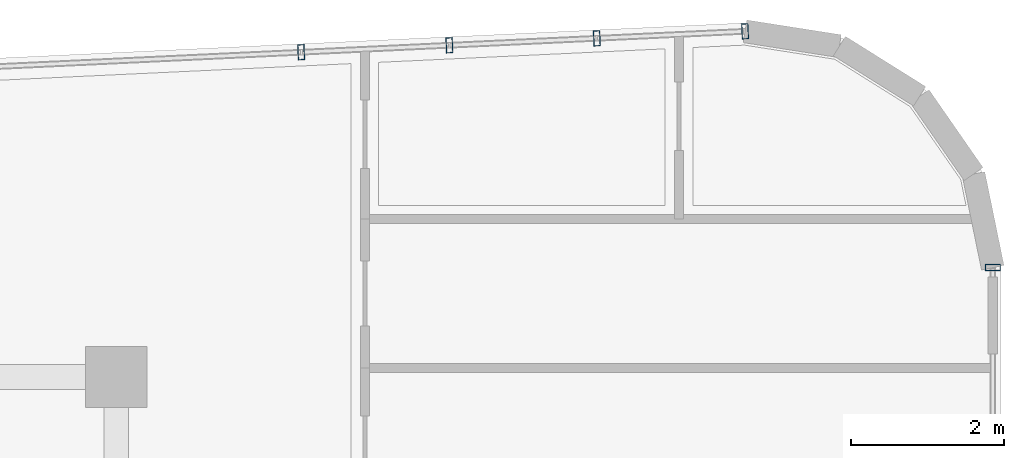
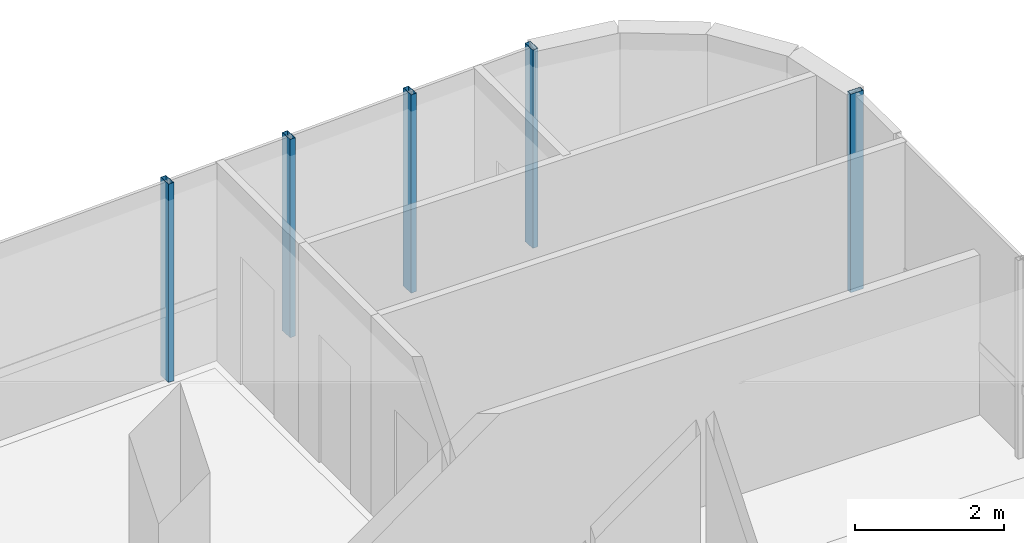
# One storey, part 12 of 19: 5 members, 2 elements without a shape of their own.
"""IFC4 building model written with IfcOpenShell, lengths in metres."""

from ifc_helpers import new_model, si_unit, direction, frame, origin, origin_2d, place, context, subcontext, project, spatial, hollow_rectangle, extrude, source, transform, mapped, material, material_profile, profile_set, type_object, element, aggregate, save


model = new_model("IFC4")

# Units and contexts
model_context = context("Model", 3, precision=1e-05, world=origin(), true_north=direction((0.0, 1.0)))
body_context = subcontext(model_context, "Body", "Model", "MODEL_VIEW")
ifc_project = project(units=[si_unit("LENGTHUNIT", "METRE"), si_unit("AREAUNIT", "SQUARE_METRE"), si_unit("VOLUMEUNIT", "CUBIC_METRE"), si_unit("PLANEANGLEUNIT", "RADIAN"), si_unit("MASSUNIT", "GRAM", prefix="KILO")], contexts=[model_context])

# Site, building, storey
site_placement = place(None, origin())
site = spatial("IfcSite", under=ifc_project, at=site_placement, CompositionType="ELEMENT")
building_placement = place(site_placement, origin())
building = spatial("IfcBuilding", under=site, at=building_placement, Name="Valdorenza Pilgrim Sanctuary Tower", CompositionType="ELEMENT")
storey_placement = place(building_placement, frame((0.0, 0.0, 266.0)))
storey = spatial("IfcBuildingStorey", under=building, at=storey_placement, Name="L69", CompositionType="ELEMENT", Elevation=266.0)

# Curtain wall, members
ifc_material_1 = material(Name="Curtain-wall IGU glazing", Category="glass")
curtain_wall_type = type_object("IfcCurtainWallType", Name="CW-SYS-02", PredefinedType="NOTDEFINED", material=ifc_material_1)
curtain_wall_1_placement = place(storey_placement, origin())
curtain_wall_1 = element("IfcCurtainWall", 1, at=curtain_wall_1_placement, inside=storey, type_object=curtain_wall_type, Name="L69 Curtain Wall CW-L69-1-6", PredefinedType="NOTDEFINED")
ifc_material_2 = material(Name="Anodised aluminium AW-6060", Category="aluminium")
ifc_material_profile = material_profile(ifc_material_2, hollow_rectangle(XDim=0.0849609375, YDim=0.199951171875, WallThickness=0.0048828125, at=origin_2d()), Name="ALU-M 200x85x5")
ifc_profile_set = profile_set([ifc_material_profile], Name="Anodised aluminium AW-6060")
member_type = type_object("IfcMemberType", Name="CW-MUL-02", PredefinedType="MULLION", material=ifc_profile_set)
shared_shape = source(origin(), body_context, "Body", "SweptSolid", [
    extrude(hollow_rectangle(XDim=0.0849609375, YDim=0.199951171875, WallThickness=0.0048828125, at=origin_2d()), origin(), (0.0, 0.0, 1.0), 3.260009765625),
])
member_1_placement = place(storey_placement, frame((-9.976318359375, 19.057373046875, 0.0), z_axis=(0.0, 0.0, 1.0), x_axis=(0.998890696972, 0.047089016785, 0.0)))
member_1 = element("IfcMember", 2, at=member_1_placement, type_object=member_type, Name="CW-L69-1-6 Mullion 4", PredefinedType="MULLION", context=body_context, shape_type="MappedRepresentation", body=[
    mapped(shared_shape, transform((0.0, 0.0, 0.0), x_axis=(1.0, 0.0, 0.0), y_axis=(0.0, 1.0, 0.0), z_axis=(0.0, 0.0, 1.0), scale=1.0)),
])
member_2_placement = place(storey_placement, frame((-4.15673828125, 19.331787109375, 0.0), z_axis=(0.0, 0.0, 1.0), x_axis=(0.998890696972, 0.047089016785, 0.0)))
member_2 = element("IfcMember", 3, at=member_2_placement, type_object=member_type, Name="CW-L69-1-6 Mullion 5", PredefinedType="MULLION", context=body_context, shape_type="MappedRepresentation", body=[
    mapped(shared_shape, transform((0.0, 0.0, 0.0), x_axis=(1.0, 0.0, 0.0), y_axis=(0.0, 1.0, 0.0), z_axis=(0.0, 0.0, 1.0), scale=1.0)),
])

# Curtain wall, member
curtain_wall_2_placement = place(storey_placement, origin())
curtain_wall_2 = element("IfcCurtainWall", 4, at=curtain_wall_2_placement, inside=storey, type_object=curtain_wall_type, Name="L69 Curtain Wall CW-L69-1-11", PredefinedType="NOTDEFINED")
member_3_placement = place(storey_placement, frame((-0.909912109375, 16.234375, 0.0), z_axis=(0.0, 0.0, 1.0), x_axis=(0.0, -1.0, 0.0)))
member_3 = element("IfcMember", 5, at=member_3_placement, type_object=member_type, Name="CW-L69-1-11 Mullion 1", PredefinedType="MULLION", context=body_context, shape_type="MappedRepresentation", body=[
    mapped(shared_shape, transform((0.0, 0.0, 0.0), x_axis=(1.0, 0.0, 0.0), y_axis=(0.0, 1.0, 0.0), z_axis=(0.0, 0.0, 1.0), scale=1.0)),
])
aggregate(curtain_wall_2, [member_3])

# Member
member_4_placement = place(storey_placement, frame((-8.033203125, 19.14892578125, 0.0), z_axis=(0.0, 0.0, 1.0), x_axis=(0.998890696972, 0.047089016785, 0.0)))
member_4 = element("IfcMember", 6, at=member_4_placement, type_object=member_type, Name="CW-L69-1-6 Sub-Mullion 72-1", PredefinedType="MULLION", context=body_context, shape_type="MappedRepresentation", body=[
    mapped(shared_shape, transform((0.0, 0.0, 0.0), x_axis=(1.0, 0.0, 0.0), y_axis=(0.0, 1.0, 0.0), z_axis=(0.0, 0.0, 1.0), scale=1.0)),
])

member_5_placement = place(storey_placement, frame((-6.099853515625, 19.239990234375, 0.0), z_axis=(0.0, 0.0, 1.0), x_axis=(0.998890696972, 0.047089016785, 0.0)))
member_5 = element("IfcMember", 7, at=member_5_placement, type_object=member_type, Name="CW-L69-1-6 Sub-Mullion 72-2", PredefinedType="MULLION", context=body_context, shape_type="MappedRepresentation", body=[
    mapped(shared_shape, transform((0.0, 0.0, 0.0), x_axis=(1.0, 0.0, 0.0), y_axis=(0.0, 1.0, 0.0), z_axis=(0.0, 0.0, 1.0), scale=1.0)),
])

aggregate(curtain_wall_1, [member_1, member_2, member_4, member_5])

save(model, "model.ifc")
